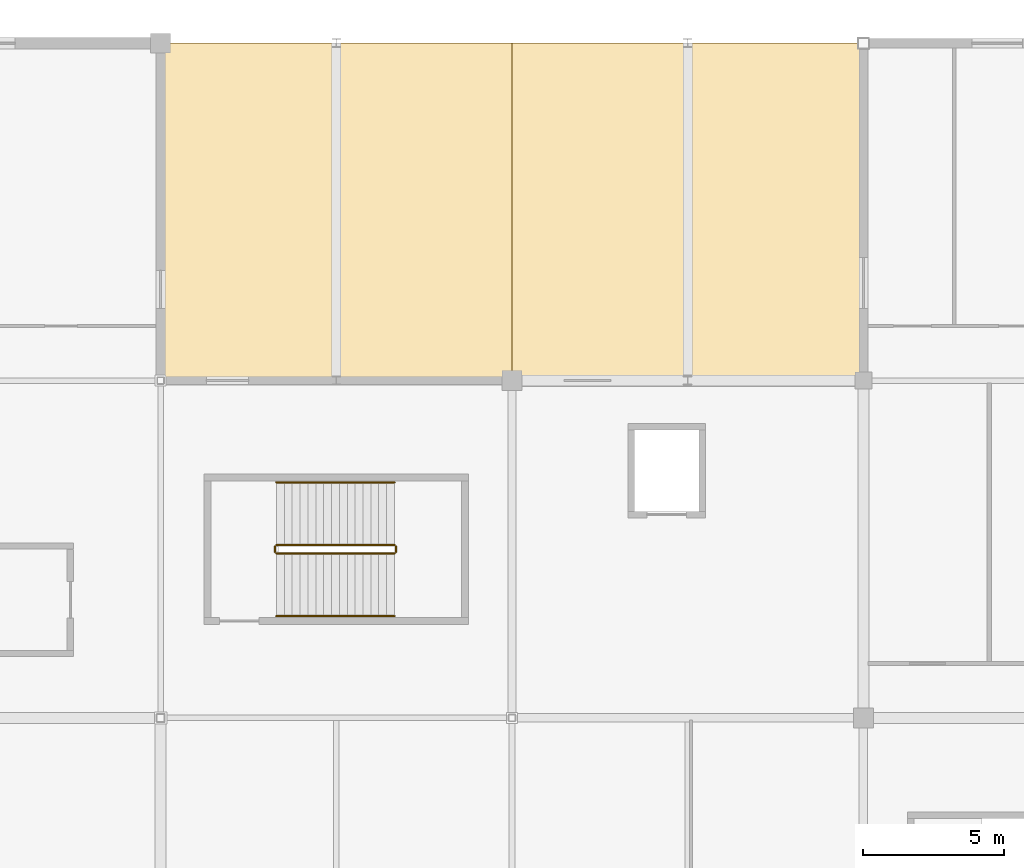
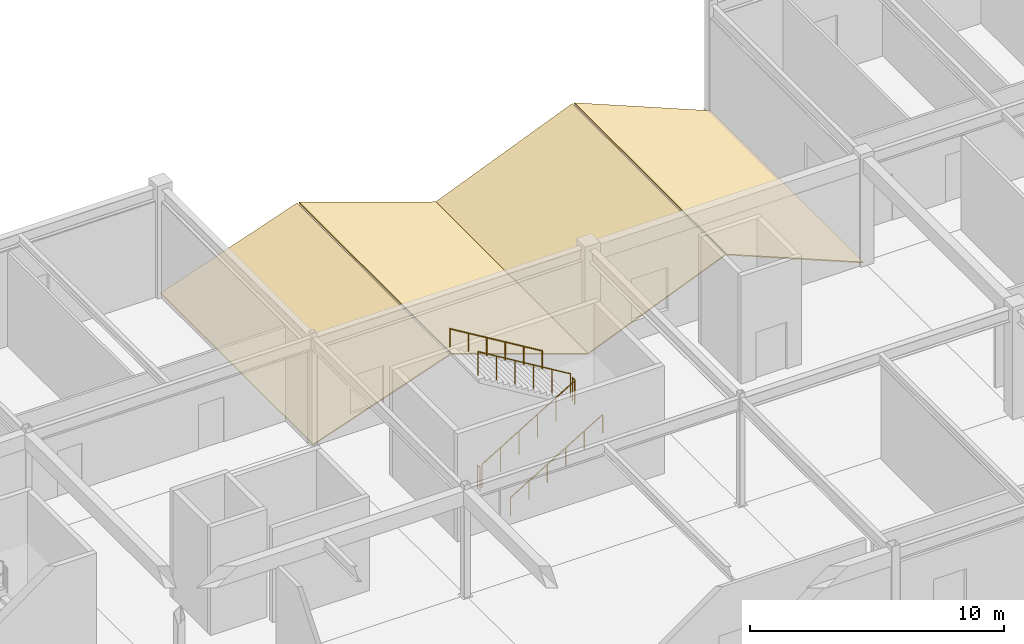
# One storey, part 104 of 105: 6 railings, 4 coverings.
"""IFC4 building model written with IfcOpenShell, lengths in metres."""

from ifc_helpers import new_model, si_unit, direction, frame, origin, origin_2d, place, context, subcontext, project, spatial, polyline, circle, outline, extrude, material, layer, layer_set, type_object, element, save


model = new_model("IFC4")

# Units and contexts
model_context = context("Model", 3, precision=1e-05, world=origin(), true_north=direction((0.0, 1.0)))
body_context = subcontext(model_context, "Body", "Model", "MODEL_VIEW")
ifc_project = project(units=[si_unit("LENGTHUNIT", "METRE"), si_unit("AREAUNIT", "SQUARE_METRE"), si_unit("VOLUMEUNIT", "CUBIC_METRE"), si_unit("PLANEANGLEUNIT", "RADIAN"), si_unit("MASSUNIT", "GRAM", prefix="KILO")], contexts=[model_context])

# Site, building, storey
site_placement = place(None, origin())
site = spatial("IfcSite", under=ifc_project, at=site_placement, CompositionType="ELEMENT")
building_placement = place(site_placement, origin())
building = spatial("IfcBuilding", under=site, at=building_placement, Name="Kazenohara Klinker Stadium", CompositionType="ELEMENT")
storey_placement = place(building_placement, frame((0.0, 0.0, 20.39990234375)))
storey = spatial("IfcBuildingStorey", under=building, at=storey_placement, Name="L04", CompositionType="ELEMENT", Elevation=20.39990234375)

# Coverings
ifc_material_1 = material(Name="Insulated standing-seam copper roofing", Category="metal")
ifc_layer_1 = layer(ifc_material_1, 0.050048828125)
ifc_layer_set_1 = layer_set([ifc_layer_1], Name="Insulated standing-seam copper roofing")
covering_type = type_object("IfcCoveringType", Name="COV-ROOF-01", PredefinedType="ROOFING", material=ifc_layer_set_1)
for number, where, z_axis, x_axis, name in (
    (1, (125.0, 156.0, -0.02978515625), (-0.327622925614, 0.0, 0.944808561886), (0.944808561886, 0.0, 0.327622925614), "Standing-seam copper stepped wing roofing L04-A 11/P"),
    (2, (131.300048828125, 156.0, 2.1201171875), (0.327622925614, 0.0, 0.944808561886), (0.944808561886, 0.0, -0.327622925614), "Standing-seam copper stepped wing roofing L04-B 11/P"),
):
    element("IfcCovering", number, at=place(storey_placement, frame(where, z_axis=z_axis, x_axis=x_axis)), inside=storey, type_object=covering_type, Name=name, PredefinedType="ROOFING", context=body_context, shape_type="SweptSolid", body=[
        extrude(outline(polyline([(0.0, 0.0), (6.5621242461032345, 0.0), (6.5621242461032345, 12.0), (0.0, 12.0), (0.0, 0.0)])), origin(), (0.0, 0.0, -1.0), 0.050048828125),
    ])
for number, where, z_axis, x_axis, name in (
    (3, (137.5, 156.0, -0.02978515625), (-0.380352293876, 0.0, 0.924841679718), (0.924841679718, 0.0, 0.380352293876), "Standing-seam copper stepped wing roofing L04-A 12/P"),
    (4, (143.800048828125, 156.0, 2.52001953125), (0.380352293876, 0.0, 0.924841679718), (0.924841679718, 0.0, -0.380352293876), "Standing-seam copper stepped wing roofing L04-B 12/P"),
):
    element("IfcCovering", number, at=place(storey_placement, frame(where, z_axis=z_axis, x_axis=x_axis)), inside=storey, type_object=covering_type, Name=name, PredefinedType="ROOFING", context=body_context, shape_type="SweptSolid", body=[
        extrude(outline(polyline([(0.0, 0.0), (6.703797317791698, 0.0), (6.703797317791698, 12.0), (0.0, 12.0), (0.0, 0.0)])), origin(), (0.0, 0.0, -1.0), 0.050048828125),
    ])

# Railings
ifc_material_2 = material(Name="Brushed stainless steel 304 handrail", Category="steel")
ifc_layer_2 = layer(ifc_material_2, 0.050048828125)
ifc_layer_set_2 = layer_set([ifc_layer_2], Name="Brushed stainless steel 304 handrail")
railing_type_1 = type_object("IfcRailingType", Name="RL-HND-900", PredefinedType="HANDRAIL", material=ifc_layer_set_2)
railing_1_placement = place(storey_placement, frame((129.1201171875, 147.6201171875, 0.1689453125)))
element("IfcRailing", 5, at=railing_1_placement, inside=storey, type_object=railing_type_1, Name="L04 ST11 stair handrail 1", PredefinedType="HANDRAIL", context=body_context, shape_type="SweptSolid", body=[
    extrude(circle(Radius=0.02392578125, at=origin_2d()), frame((0.0, 0.0, 0.8759765625), z_axis=(0.856476492594, 0.0, 0.516186030065), x_axis=(0.0, 1.0, 0.0)), (0.0, 0.0, 1.0), 4.90380859375),
    extrude(circle(Radius=0.02099609375, at=origin_2d()), origin(), (0.0, 0.0, 1.0), 0.851806640625),
    extrude(circle(Radius=0.02099609375, at=origin_2d()), frame((0.840087890625, 0.0, 0.50634765625)), (0.0, 0.0, 1.0), 0.851806640625),
    extrude(circle(Radius=0.02099609375, at=origin_2d()), frame((1.679931640625, 0.0, 1.012451171875)), (0.0, 0.0, 1.0), 0.851806640625),
    extrude(circle(Radius=0.02099609375, at=origin_2d()), frame((2.52001953125, 0.0, 1.518798828125)), (0.0, 0.0, 1.0), 0.851806640625),
    extrude(circle(Radius=0.02099609375, at=origin_2d()), frame((3.35986328125, 0.0, 2.02490234375)), (0.0, 0.0, 1.0), 0.851806640625),
    extrude(circle(Radius=0.02099609375, at=origin_2d()), frame((4.199951171875, 0.0, 2.53125)), (0.0, 0.0, 1.0), 0.851806640625),
])
railing_2_placement = place(storey_placement, frame((133.320068359375, 152.3798828125, 2.868896484375)))
element("IfcRailing", 6, at=railing_2_placement, inside=storey, type_object=railing_type_1, Name="L04 ST11 stair handrail 2", PredefinedType="HANDRAIL", context=body_context, shape_type="SweptSolid", body=[
    extrude(circle(Radius=0.02392578125, at=origin_2d()), frame((0.0, 0.0, 0.8759765625), z_axis=(-0.856476492594, 0.0, 0.516186030065), x_axis=(0.0, -1.0, 0.0)), (0.0, 0.0, 1.0), 4.90380859375),
    extrude(circle(Radius=0.02099609375, at=origin_2d()), origin(), (0.0, 0.0, 1.0), 0.851806640625),
    extrude(circle(Radius=0.02099609375, at=origin_2d()), frame((-0.840087890625, 0.0, 0.50634765625)), (0.0, 0.0, 1.0), 0.851806640625),
    extrude(circle(Radius=0.02099609375, at=origin_2d()), frame((-1.679931640625, 0.0, 1.012451171875)), (0.0, 0.0, 1.0), 0.851806640625),
    extrude(circle(Radius=0.02099609375, at=origin_2d()), frame((-2.52001953125, 0.0, 1.518798828125)), (0.0, 0.0, 1.0), 0.851806640625),
    extrude(circle(Radius=0.02099609375, at=origin_2d()), frame((-3.35986328125, 0.0, 2.02490234375)), (0.0, 0.0, 1.0), 0.851806640625),
    extrude(circle(Radius=0.02099609375, at=origin_2d()), frame((-4.199951171875, 0.0, 2.53125)), (0.0, 0.0, 1.0), 0.851806640625),
])
ifc_material_3 = material(Name="Painted steel stairwell guardrail", Category="steel")
ifc_layer_3 = layer(ifc_material_3, 0.06005859375)
ifc_layer_set_3 = layer_set([ifc_layer_3], Name="Painted steel stairwell guardrail")
railing_type_2 = type_object("IfcRailingType", Name="RL-STG-1120", PredefinedType="GUARDRAIL", material=ifc_layer_set_3)
railing_3_placement = place(storey_placement, frame((129.1201171875, 149.85009765625, 0.1689453125)))
element("IfcRailing", 7, at=railing_3_placement, inside=storey, type_object=railing_type_2, Name="L04 ST11 stair guard 1", PredefinedType="GUARDRAIL", context=body_context, shape_type="SweptSolid", body=[
    extrude(circle(Radius=0.02392578125, at=origin_2d()), frame((0.0, 0.0, 1.1259765625), z_axis=(0.856476492594, 0.0, 0.516186030065), x_axis=(0.0, 1.0, 0.0)), (0.0, 0.0, 1.0), 4.90380859375),
    extrude(circle(Radius=0.02099609375, at=origin_2d()), origin(), (0.0, 0.0, 1.0), 1.101806640625),
    extrude(circle(Radius=0.02099609375, at=origin_2d()), frame((0.840087890625, 0.0, 0.50634765625)), (0.0, 0.0, 1.0), 1.101806640625),
    extrude(circle(Radius=0.02099609375, at=origin_2d()), frame((1.679931640625, 0.0, 1.012451171875)), (0.0, 0.0, 1.0), 1.101806640625),
    extrude(circle(Radius=0.02099609375, at=origin_2d()), frame((2.52001953125, 0.0, 1.518798828125)), (0.0, 0.0, 1.0), 1.101806640625),
    extrude(circle(Radius=0.02099609375, at=origin_2d()), frame((3.35986328125, 0.0, 2.02490234375)), (0.0, 0.0, 1.0), 1.101806640625),
    extrude(circle(Radius=0.02099609375, at=origin_2d()), frame((4.199951171875, 0.0, 2.53125)), (0.0, 0.0, 1.0), 1.101806640625),
])
railing_4_placement = place(storey_placement, frame((133.3701171875, 149.89990234375, 2.7001953125)))
element("IfcRailing", 8, at=railing_4_placement, inside=storey, type_object=railing_type_2, Name="L04 ST11 stair guard 2", PredefinedType="GUARDRAIL", context=body_context, shape_type="SweptSolid", body=[
    extrude(circle(Radius=0.02392578125, at=origin_2d()), frame((0.0, 0.0, 1.1259765625), z_axis=(0.0, 1.0, 0.0), x_axis=(-1.0, 0.0, 0.0)), (0.0, 0.0, 1.0), 0.2001953125),
    extrude(circle(Radius=0.02099609375, at=origin_2d()), origin(), (0.0, 0.0, 1.0), 1.101806640625),
    extrude(circle(Radius=0.02099609375, at=origin_2d()), frame((0.0, 0.2001953125, 0.0)), (0.0, 0.0, 1.0), 1.101806640625),
])
railing_5_placement = place(storey_placement, frame((133.320068359375, 150.14990234375, 2.868896484375)))
element("IfcRailing", 9, at=railing_5_placement, inside=storey, type_object=railing_type_2, Name="L04 ST11 stair guard 3", PredefinedType="GUARDRAIL", context=body_context, shape_type="SweptSolid", body=[
    extrude(circle(Radius=0.02392578125, at=origin_2d()), frame((0.0, 0.0, 1.1259765625), z_axis=(-0.856476492594, 0.0, 0.516186030065), x_axis=(0.0, -1.0, 0.0)), (0.0, 0.0, 1.0), 4.90380859375),
    extrude(circle(Radius=0.02099609375, at=origin_2d()), origin(), (0.0, 0.0, 1.0), 1.101806640625),
    extrude(circle(Radius=0.02099609375, at=origin_2d()), frame((-0.840087890625, 0.0, 0.50634765625)), (0.0, 0.0, 1.0), 1.101806640625),
    extrude(circle(Radius=0.02099609375, at=origin_2d()), frame((-1.679931640625, 0.0, 1.012451171875)), (0.0, 0.0, 1.0), 1.101806640625),
    extrude(circle(Radius=0.02099609375, at=origin_2d()), frame((-2.52001953125, 0.0, 1.518798828125)), (0.0, 0.0, 1.0), 1.101806640625),
    extrude(circle(Radius=0.02099609375, at=origin_2d()), frame((-3.35986328125, 0.0, 2.02490234375)), (0.0, 0.0, 1.0), 1.101806640625),
    extrude(circle(Radius=0.02099609375, at=origin_2d()), frame((-4.199951171875, 0.0, 2.53125)), (0.0, 0.0, 1.0), 1.101806640625),
])
railing_6_placement = place(storey_placement, frame((129.070068359375, 149.89990234375, 0.0)))
element("IfcRailing", 10, at=railing_6_placement, inside=storey, type_object=railing_type_2, Name="L04 ST11 stair guard 4", PredefinedType="GUARDRAIL", context=body_context, shape_type="SweptSolid", body=[
    extrude(circle(Radius=0.02392578125, at=origin_2d()), frame((0.0, 0.0, 1.1259765625), z_axis=(0.0, 1.0, 0.0), x_axis=(-1.0, 0.0, 0.0)), (0.0, 0.0, 1.0), 0.2001953125),
    extrude(circle(Radius=0.02099609375, at=origin_2d()), origin(), (0.0, 0.0, 1.0), 1.101806640625),
    extrude(circle(Radius=0.02099609375, at=origin_2d()), frame((0.0, 0.2001953125, 0.0)), (0.0, 0.0, 1.0), 1.101806640625),
])

save(model, "model.ifc")
